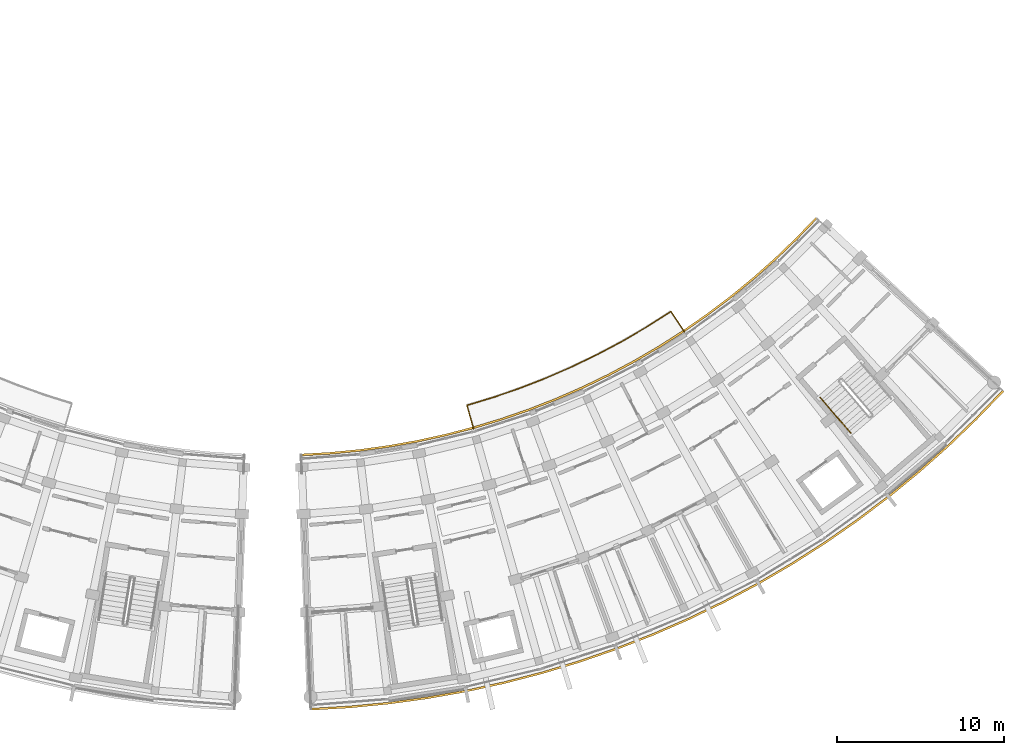
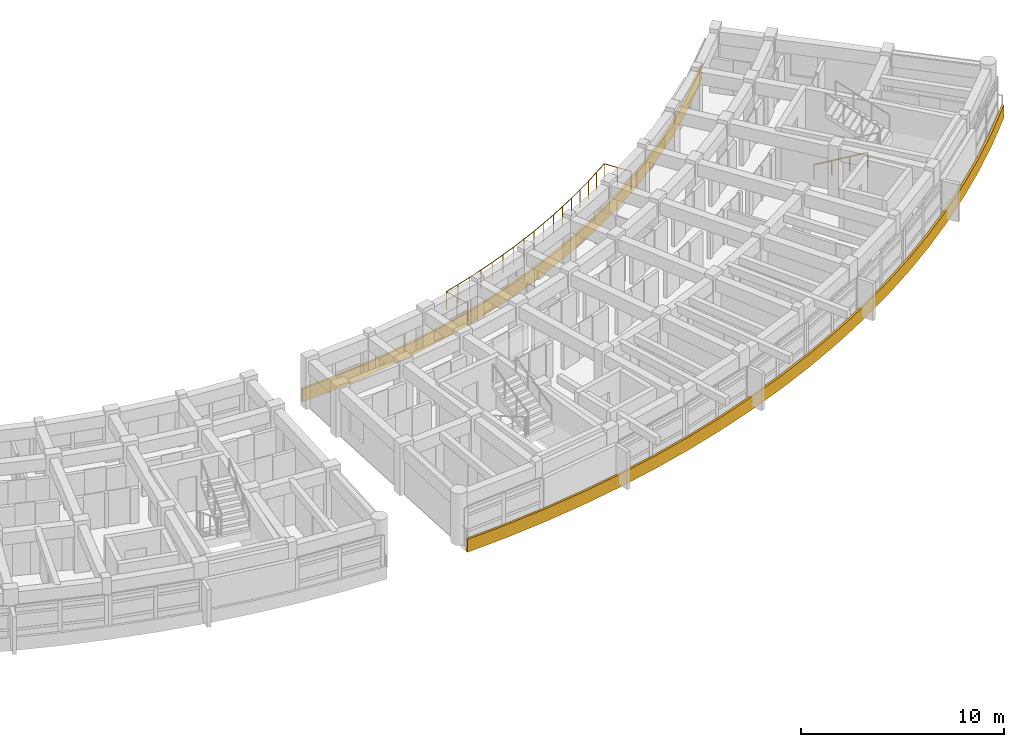
# One storey, part 55 of 56: 4 railings.
"""IFC4 building model written with IfcOpenShell, lengths in metres."""

import ifcopenshell
import ifcopenshell.guid

model = None  # the IFC model being written
_history = None  # IfcOwnerHistory: only IFC2X3 demands one
_inside = {}  # id of a spatial element -> (the spatial element, [elements in it])
_under = {}  # id of a project, library or spatial element -> (it, [spatial elements below it])
_declared = {}  # id of a project -> (the project, [libraries it declares])
_typed = {}  # id of a type object -> (the type object, [elements of that type])
_made_of = {}  # id of a material, layer set ... -> (it, [elements and type objects made of it])


def new_model(schema):
    """Start an empty IFC model of exactly this schema.

    Asked for "IFC4X3", IfcOpenShell would pick the latest addendum, in which some entities
    have other attributes; the version numbers below select the first issue.
    IFC2X3 requires an IfcOwnerHistory on every rooted entity: one is made here for all.
    """
    global model, _history
    if schema == "IFC4X3":
        model = ifcopenshell.file(schema_version=(4, 3, 0, 0))
    else:
        model = ifcopenshell.file(schema=schema)
    _inside.clear()
    _under.clear()
    _declared.clear()
    _typed.clear()
    _made_of.clear()
    _history = None
    if model.schema == "IFC2X3":
        org = make("IfcOrganization", Name="unknown")
        user = make(
            "IfcPersonAndOrganization",
            ThePerson=make("IfcPerson", FamilyName="unknown"),
            TheOrganization=org,
        )
        app = make(
            "IfcApplication",
            ApplicationDeveloper=org,
            Version="unknown",
            ApplicationFullName="unknown",
            ApplicationIdentifier="unknown",
        )
        _history = make(
            "IfcOwnerHistory",
            OwningUser=user,
            OwningApplication=app,
            ChangeAction="ADDED",
            CreationDate=0,
        )
    return model


def make(cls, **values):
    """One entity of the class cls with the attributes given. An attribute that is None is left unset."""
    return model.create_entity(
        cls, **{name: value for name, value in values.items() if value is not None}
    )


def rooted(cls, **values):
    """An entity with a GlobalId (a new one), such as an element, a storey or a relation."""
    return make(cls, GlobalId=ifcopenshell.guid.new(), OwnerHistory=_history, **values)


def si_unit(unit_type, name, prefix=None):
    """IfcSIUnit, for example si_unit("LENGTHUNIT", "METRE", prefix="MILLI")."""
    return make("IfcSIUnit", UnitType=unit_type, Prefix=prefix, Name=name)


def assignment(units):
    """IfcUnitAssignment: the units of a project."""
    return None if units is None else make("IfcUnitAssignment", Units=units)


def point(xyz):
    """IfcCartesianPoint."""
    return None if xyz is None else make("IfcCartesianPoint", Coordinates=xyz)


def direction(xyz):
    """IfcDirection."""
    return None if xyz is None else make("IfcDirection", DirectionRatios=xyz)


def frame(location, z_axis=None, x_axis=None):
    """IfcAxis2Placement3D, a coordinate frame: its origin and axes. An axis left out is left unset."""
    return make(
        "IfcAxis2Placement3D",
        Location=point(location),
        Axis=direction(z_axis),
        RefDirection=direction(x_axis),
    )


def frame_2d(location, x_axis=None):
    """IfcAxis2Placement2D, a coordinate frame in the plane: its origin and x axis."""
    return make(
        "IfcAxis2Placement2D", Location=point(location), RefDirection=direction(x_axis)
    )


def origin():
    """The frame at (0, 0, 0) with its axes left unset."""
    return frame((0.0, 0.0, 0.0))


def origin_2d():
    """The frame at (0, 0) in the plane with its x axis left unset."""
    return frame_2d((0.0, 0.0))


def place(relative_to, where):
    """IfcLocalPlacement: puts the frame where relative to a parent placement (None: the world)."""
    return make(
        "IfcLocalPlacement", PlacementRelTo=relative_to, RelativePlacement=where
    )


def context(
    kind, dimensions, precision=None, world=None, true_north=None, identifier=None
):
    """IfcGeometricRepresentationContext, for example the 3D "Model" context."""
    return make(
        "IfcGeometricRepresentationContext",
        ContextIdentifier=identifier,
        ContextType=kind,
        CoordinateSpaceDimension=dimensions,
        Precision=precision,
        WorldCoordinateSystem=world,
        TrueNorth=true_north,
    )


def subcontext(parent, identifier, kind, view, scale=None):
    """IfcGeometricRepresentationSubContext, for example "Body" below "Model"."""
    return make(
        "IfcGeometricRepresentationSubContext",
        ContextIdentifier=identifier,
        ContextType=kind,
        ParentContext=parent,
        TargetScale=scale,
        TargetView=view,
    )


def project(units=None, contexts=None):
    """IfcProject with its units and contexts."""
    return rooted(
        "IfcProject",
        Name="project",
        RepresentationContexts=contexts,
        UnitsInContext=assignment(units),
    )


def spatial(cls, under=None, at=None, **own):
    """A site, building, storey or space (cls), placed at a placement, below another one or the project."""
    s = rooted(cls, ObjectPlacement=at, **own)
    if under is not None:
        _under.setdefault(under.id(), (under, []))[1].append(s)
    return s


def polyline(points):
    """IfcPolyline through the points."""
    return make("IfcPolyline", Points=[point(p) for p in points])


def profile(cls, at=None, kind="AREA", **sizes):
    """A parametric profile (cls). Its sizes go by their IFC names, for example OverallWidth=200.0."""
    return make(cls, ProfileType=kind, Position=at, **sizes)


def circle(**sizes):
    """IfcCircleProfileDef."""
    return profile("IfcCircleProfileDef", **sizes)


def outline(outer, holes=None, kind="AREA"):
    """IfcArbitraryClosedProfileDef: a profile drawn as a closed curve; with holes, ...WithVoids."""
    if holes is None:
        return make("IfcArbitraryClosedProfileDef", ProfileType=kind, OuterCurve=outer)
    return make(
        "IfcArbitraryProfileDefWithVoids",
        ProfileType=kind,
        OuterCurve=outer,
        InnerCurves=holes,
    )


def extrude(swept, where, along, depth):
    """IfcExtrudedAreaSolid: the profile swept, set in the frame where, extruded along a direction by depth."""
    return make(
        "IfcExtrudedAreaSolid",
        SweptArea=swept,
        Position=where,
        ExtrudedDirection=direction(along),
        Depth=depth,
    )


def shape(context_of_items, identifier, shape_type, items):
    """IfcShapeRepresentation: the items that make up one representation, for example the "Body"."""
    return make(
        "IfcShapeRepresentation",
        ContextOfItems=context_of_items,
        RepresentationIdentifier=identifier,
        RepresentationType=shape_type,
        Items=items,
    )


def material(Name=None, Category=None):
    """IfcMaterial."""
    return make("IfcMaterial", Name=Name, Category=Category)


def made_of(thing, what):
    """Note that an element or type object is made of a material, layer set ...; save() writes the relation."""
    if what is not None:
        _made_of.setdefault(what.id(), (what, []))[1].append(thing)
    return thing


def type_object(cls, material=None, **own):
    """A type object (cls), such as IfcWallType, which elements share."""
    return made_of(rooted(cls, **own), material)


def element(
    cls,
    number,
    at=None,
    inside=None,
    cuts=None,
    type_object=None,
    material=None,
    context=None,
    identifier="Body",
    shape_type=None,
    held_by="IfcProductDefinitionShape",
    body=None,
    shapes=None,
    **own,
):
    """One element of the class cls, such as IfcWall. Its Tag is "e" and its number.

    at: its placement. inside: the storey or other place that contains it. cuts: it is an
    opening in that element (IfcRelVoidsElement). A single representation is given by context,
    identifier, shape_type and body (its items); several are given by shapes. held_by: the class
    of the entity that holds the representations. save() writes the other relations.
    """
    e = rooted(cls, Tag="e%d" % number, ObjectPlacement=at, **own)
    if body is not None:
        shapes = [shape(context, identifier, shape_type, body)]
    if shapes is not None:
        e.Representation = make(held_by, Representations=shapes)
    if inside is not None:
        _inside.setdefault(inside.id(), (inside, []))[1].append(e)
    if cuts is not None:
        rooted(
            "IfcRelVoidsElement", RelatingBuildingElement=cuts, RelatedOpeningElement=e
        )
    if type_object is not None:
        _typed.setdefault(type_object.id(), (type_object, []))[1].append(e)
    return made_of(e, material)


def aggregate(whole, parts):
    """IfcRelAggregates: a whole, such as a stair, and the parts it consists of."""
    return rooted("IfcRelAggregates", RelatingObject=whole, RelatedObjects=parts)


def save(model, path):
    """Write the relations noted so far, then the file.

    IfcRelAggregates (storeys below a building ...), IfcRelContainedInSpatialStructure (elements
    in a storey), IfcRelDefinesByType, IfcRelAssociatesMaterial and IfcRelDeclares: one each for
    every whole, place, type object, material and project.
    """
    for whole, parts in _under.values():
        aggregate(whole, parts)
    for where, things in _inside.values():
        rooted(
            "IfcRelContainedInSpatialStructure",
            RelatedElements=things,
            RelatingStructure=where,
        )
    for kind, things in _typed.values():
        rooted("IfcRelDefinesByType", RelatedObjects=things, RelatingType=kind)
    for what, things in _made_of.values():
        rooted("IfcRelAssociatesMaterial", RelatedObjects=things, RelatingMaterial=what)
    for by, libraries in _declared.values():
        rooted("IfcRelDeclares", RelatingContext=by, RelatedDefinitions=libraries)
    model.write(path)


model = new_model("IFC4")

# Units and contexts
model_context = context("Model", 3, precision=1e-05, world=origin(), true_north=direction((0.0, 1.0)))
body_context = subcontext(model_context, "Body", "Model", "MODEL_VIEW")
ifc_project = project(units=[si_unit("LENGTHUNIT", "METRE"), si_unit("AREAUNIT", "SQUARE_METRE"), si_unit("VOLUMEUNIT", "CUBIC_METRE"), si_unit("PLANEANGLEUNIT", "RADIAN"), si_unit("MASSUNIT", "GRAM", prefix="KILO")], contexts=[model_context])

# Site, building, storey
site_placement = place(None, origin())
site = spatial("IfcSite", under=ifc_project, at=site_placement, CompositionType="ELEMENT")
building_placement = place(site_placement, origin())
building = spatial("IfcBuilding", under=site, at=building_placement, Name="Zimvara Arc Housing Community", CompositionType="ELEMENT")
storey_placement = place(building_placement, frame((0.0, 0.0, 11.199951171875)))
storey = spatial("IfcBuildingStorey", under=building, at=storey_placement, Name="L03", CompositionType="ELEMENT", Elevation=11.199951171875)

# Railings
ifc_material_1 = material(Name="Anodised Aluminium AW-6063", Category="aluminium")
railing_type_1 = type_object("IfcRailingType", Name="RLG-BAL-1120", PredefinedType="BALUSTRADE", material=ifc_material_1)
railing_1_placement = place(storey_placement, frame((138.00830078125, 67.068359375, 0.0)))
element("IfcRailing", 1, at=railing_1_placement, inside=storey, type_object=railing_type_1, Name="rlg:blkD:L03:bal_in_guard", PredefinedType="BALUSTRADE", context=body_context, shape_type="SweptSolid", body=[
    extrude(circle(Radius=0.02392578125, at=origin_2d()), frame((0.0, 0.0, 1.09619140625), z_axis=(-0.270726337505, 0.962656351031, 0.0), x_axis=(-0.962656351031, -0.270726337505, 0.0)), (0.0, 0.0, 1.0), 1.469970703125),
    extrude(circle(Radius=0.02392578125, at=origin_2d()), frame((-0.39794921875, 1.4150390625, 1.09619140625), z_axis=(0.957190923554, 0.289457312684, 0.0), x_axis=(-0.289457312684, 0.957190923554, 0.0)), (0.0, 0.0, 1.0), 1.687744140625),
    extrude(circle(Radius=0.02392578125, at=origin_2d()), frame((1.217529296875, 1.903564453125, 1.09619140625), z_axis=(0.945049689723, 0.326926725666, 0.0), x_axis=(-0.326926725666, 0.945049689723, 0.0)), (0.0, 0.0, 1.0), 1.687744140625),
    extrude(circle(Radius=0.02392578125, at=origin_2d()), frame((2.8125, 2.455322265625, 1.09619140625), z_axis=(0.931585983459, 0.363521052241, 0.0), x_axis=(-0.363521052241, 0.931585983459, 0.0)), (0.0, 0.0, 1.0), 1.687744140625),
    extrude(circle(Radius=0.02392578125, at=origin_2d()), frame((4.384765625, 3.06884765625, 1.09619140625), z_axis=(0.916528773021, 0.39996875906, 0.0), x_axis=(-0.39996875906, 0.916528773021, 0.0)), (0.0, 0.0, 1.0), 1.687744140625),
    extrude(circle(Radius=0.02392578125, at=origin_2d()), frame((5.931640625, 3.743896484375, 1.09619140625), z_axis=(0.900082393733, 0.435719731585, 0.0), x_axis=(-0.435719731585, 0.900082393733, 0.0)), (0.0, 0.0, 1.0), 1.687744140625),
    extrude(circle(Radius=0.02392578125, at=origin_2d()), frame((7.45068359375, 4.479248046875, 1.09619140625), z_axis=(0.88237296132, 0.470550695602, 0.0), x_axis=(-0.470550695602, 0.88237296132, 0.0)), (0.0, 0.0, 1.0), 1.687744140625),
    extrude(circle(Radius=0.02392578125, at=origin_2d()), frame((8.93994140625, 5.2734375, 1.09619140625), z_axis=(0.863195929689, 0.504869079037, 0.0), x_axis=(-0.504869079037, 0.863195929689, 0.0)), (0.0, 0.0, 1.0), 1.687744140625),
    extrude(circle(Radius=0.02392578125, at=origin_2d()), frame((10.396728515625, 6.12548828125, 1.09619140625), z_axis=(0.842665264742, 0.538437788047, 0.0), x_axis=(-0.538437788047, 0.842665264742, 0.0)), (0.0, 0.0, 1.0), 1.687744140625),
    extrude(circle(Radius=0.02392578125, at=origin_2d()), frame((11.81884765625, 7.0341796875, 1.09619140625), z_axis=(0.554891818684, -0.831922514154, 0.0), x_axis=(0.831922514154, 0.554891818684, 0.0)), (0.0, 0.0, 1.0), 1.469970703125),
    extrude(circle(Radius=0.02099609375, at=origin_2d()), origin(), (0.0, 0.0, 1.0), 1.072021484375),
    extrude(circle(Radius=0.02099609375, at=origin_2d()), frame((-0.198974609375, 0.70751953125, 0.0)), (0.0, 0.0, 1.0), 1.072021484375),
    extrude(circle(Radius=0.02099609375, at=origin_2d()), frame((-0.39794921875, 1.4150390625, 0.0)), (0.0, 0.0, 1.0), 1.072021484375),
    extrude(circle(Radius=0.02099609375, at=origin_2d()), frame((0.40966796875, 1.6591796875, 0.0)), (0.0, 0.0, 1.0), 1.072021484375),
    extrude(circle(Radius=0.02099609375, at=origin_2d()), frame((1.217529296875, 1.903564453125, 0.0)), (0.0, 0.0, 1.0), 1.072021484375),
    extrude(circle(Radius=0.02099609375, at=origin_2d()), frame((2.01513671875, 2.179443359375, 0.0)), (0.0, 0.0, 1.0), 1.072021484375),
    extrude(circle(Radius=0.02099609375, at=origin_2d()), frame((2.8125, 2.455322265625, 0.0)), (0.0, 0.0, 1.0), 1.072021484375),
    extrude(circle(Radius=0.02099609375, at=origin_2d()), frame((3.5986328125, 2.76220703125, 0.0)), (0.0, 0.0, 1.0), 1.072021484375),
    extrude(circle(Radius=0.02099609375, at=origin_2d()), frame((4.384765625, 3.06884765625, 0.0)), (0.0, 0.0, 1.0), 1.072021484375),
    extrude(circle(Radius=0.02099609375, at=origin_2d()), frame((5.158203125, 3.40625, 0.0)), (0.0, 0.0, 1.0), 1.072021484375),
    extrude(circle(Radius=0.02099609375, at=origin_2d()), frame((5.931640625, 3.743896484375, 0.0)), (0.0, 0.0, 1.0), 1.072021484375),
    extrude(circle(Radius=0.02099609375, at=origin_2d()), frame((6.691162109375, 4.111572265625, 0.0)), (0.0, 0.0, 1.0), 1.072021484375),
    extrude(circle(Radius=0.02099609375, at=origin_2d()), frame((7.45068359375, 4.479248046875, 0.0)), (0.0, 0.0, 1.0), 1.072021484375),
    extrude(circle(Radius=0.02099609375, at=origin_2d()), frame((8.1953125, 4.87646484375, 0.0)), (0.0, 0.0, 1.0), 1.072021484375),
    extrude(circle(Radius=0.02099609375, at=origin_2d()), frame((8.93994140625, 5.2734375, 0.0)), (0.0, 0.0, 1.0), 1.072021484375),
    extrude(circle(Radius=0.02099609375, at=origin_2d()), frame((9.66845703125, 5.699462890625, 0.0)), (0.0, 0.0, 1.0), 1.072021484375),
    extrude(circle(Radius=0.02099609375, at=origin_2d()), frame((10.396728515625, 6.12548828125, 0.0)), (0.0, 0.0, 1.0), 1.072021484375),
    extrude(circle(Radius=0.02099609375, at=origin_2d()), frame((11.10791015625, 6.579833984375, 0.0)), (0.0, 0.0, 1.0), 1.072021484375),
    extrude(circle(Radius=0.02099609375, at=origin_2d()), frame((11.81884765625, 7.0341796875, 0.0)), (0.0, 0.0, 1.0), 1.072021484375),
    extrude(circle(Radius=0.02099609375, at=origin_2d()), frame((12.2265625, 6.4228515625, 0.0)), (0.0, 0.0, 1.0), 1.072021484375),
    extrude(circle(Radius=0.02099609375, at=origin_2d()), frame((12.634521484375, 5.811279296875, 0.0)), (0.0, 0.0, 1.0), 1.072021484375),
])
ifc_material_2 = material(Name="Pale-Gold Anodised Aluminium AW-6063", Category="aluminium")
railing_type_2 = type_object("IfcRailingType", Name="RLG-FAS-780", PredefinedType="BALUSTRADE", material=ifc_material_2)
railing_2_placement = place(storey_placement, frame((0.0, 0.0, -0.219970703125)))
element("IfcRailing", 2, at=railing_2_placement, inside=storey, type_object=railing_type_2, Name="rlg:blkD:L03:gold_out", PredefinedType="BALUSTRADE", context=body_context, shape_type="SweptSolid", body=[
    extrude(outline(polyline([(128.27099609375, 50.223876953125), (130.610595703125, 50.35986328125), (132.94287109375, 50.587646484375), (135.2646484375, 50.90673828125), (137.572021484375, 51.316650390625), (139.861328125, 51.81689453125), (142.12939453125, 52.406494140625), (144.37255859375, 53.0849609375), (146.58740234375, 53.850830078125), (148.7705078125, 54.702880859375), (150.918212890625, 55.64013671875), (153.02783203125, 56.6611328125), (155.095458984375, 57.763916015625), (157.118408203125, 58.947265625), (159.093017578125, 60.208984375), (161.016845703125, 61.54736328125), (162.88671875, 62.9599609375), (164.699462890625, 64.445068359375), (166.45263671875, 66.000244140625), (168.143310546875, 67.623046875), (169.76904296875, 69.31103515625), (169.680908203125, 69.392578125), (168.05859375, 67.7080078125), (166.37109375, 66.08837890625), (164.62158203125, 64.536376953125), (162.8125, 63.054443359375), (160.946533203125, 61.64453125), (159.026611328125, 60.308837890625), (157.0556640625, 59.049560546875), (155.036865234375, 57.86865234375), (152.973388671875, 56.76806640625), (150.8681640625, 55.749267578125), (148.724609375, 54.81396484375), (146.5458984375, 53.96337890625), (144.335693359375, 53.198974609375), (142.096923828125, 52.52197265625), (139.83349609375, 51.93359375), (137.548583984375, 51.434326171875), (135.245849609375, 51.025146484375), (132.928955078125, 50.706787109375), (130.601318359375, 50.4794921875), (128.266357421875, 50.343994140625), (128.27099609375, 50.223876953125)])), origin(), (0.0, 0.0, 1.0), 0.780029296875),
])
railing_3_placement = place(storey_placement, frame((0.0, 0.0, -0.219970703125)))
element("IfcRailing", 3, at=railing_3_placement, inside=storey, type_object=railing_type_2, Name="rlg:blkD:L03:gold_in", PredefinedType="BALUSTRADE", context=body_context, shape_type="SweptSolid", body=[
    extrude(outline(polyline([(127.68603515625, 65.45263671875), (129.427978515625, 65.553955078125), (131.164794921875, 65.723388671875), (132.8935546875, 65.961181640625), (134.61181640625, 66.266357421875), (136.316650390625, 66.638916015625), (138.00537109375, 67.077880859375), (139.67578125, 67.5830078125), (141.324951171875, 68.1533203125), (142.95068359375, 68.7880859375), (144.550048828125, 69.48583984375), (146.120849609375, 70.24609375), (147.660400390625, 71.0673828125), (149.166748046875, 71.948486328125), (150.63720703125, 72.887939453125), (152.06982421875, 73.884521484375), (153.462158203125, 74.9365234375), (154.81201171875, 76.04248046875), (156.117431640625, 77.200439453125), (157.37646484375, 78.40869140625), (158.5869140625, 79.66552734375), (158.4990234375, 79.7470703125), (157.29150390625, 78.49365234375), (156.0361328125, 77.28857421875), (154.734130859375, 76.1337890625), (153.387939453125, 75.03076171875), (151.999267578125, 73.981689453125), (150.57080078125, 72.98779296875), (149.104248046875, 72.05078125), (147.60205078125, 71.172119140625), (146.06640625, 70.35302734375), (144.499755859375, 69.594970703125), (142.90478515625, 68.89892578125), (141.28369140625, 68.265869140625), (139.638916015625, 67.697265625), (137.972900390625, 67.193603515625), (136.28857421875, 66.755615234375), (134.58837890625, 66.384033203125), (132.875, 66.07958984375), (131.15087890625, 65.8427734375), (129.418701171875, 65.673583984375), (127.681396484375, 65.57275390625), (127.68603515625, 65.45263671875)])), origin(), (0.0, 0.0, 1.0), 0.780029296875),
])
ifc_material_3 = material(Name="Anodised Aluminium AW-6063", Category="aluminium")
railing_type_3 = type_object("IfcRailingType", Name="RLG-HND-900", PredefinedType="HANDRAIL", material=ifc_material_3)
railing_4_placement = place(storey_placement, frame((158.766357421875, 68.953369140625, 0.155029296875)))
element("IfcRailing", 4, at=railing_4_placement, inside=storey, type_object=railing_type_3, Name="L03 ST-D2 stair handrail 1", PredefinedType="HANDRAIL", context=body_context, shape_type="SweptSolid", body=[
    extrude(circle(Radius=0.02392578125, at=origin_2d()), frame((0.0, 0.0, 0.8759765625), z_axis=(0.581041388364, -0.681489443978, 0.444930379672), x_axis=(0.760960200111, 0.648798561841, 0.0)), (0.0, 0.0, 1.0), 3.13525390625),
    extrude(circle(Radius=0.02099609375, at=origin_2d()), origin(), (0.0, 0.0, 1.0), 0.851806640625),
    extrude(circle(Radius=0.02099609375, at=origin_2d()), frame((0.607177734375, -0.712158203125, 0.465087890625)), (0.0, 0.0, 1.0), 0.851806640625),
    extrude(circle(Radius=0.02099609375, at=origin_2d()), frame((1.214599609375, -1.424560546875, 0.929931640625)), (0.0, 0.0, 1.0), 0.851806640625),
    extrude(circle(Radius=0.02099609375, at=origin_2d()), frame((1.82177734375, -2.13671875, 1.39501953125)), (0.0, 0.0, 1.0), 0.851806640625),
])

save(model, "model.ifc")
